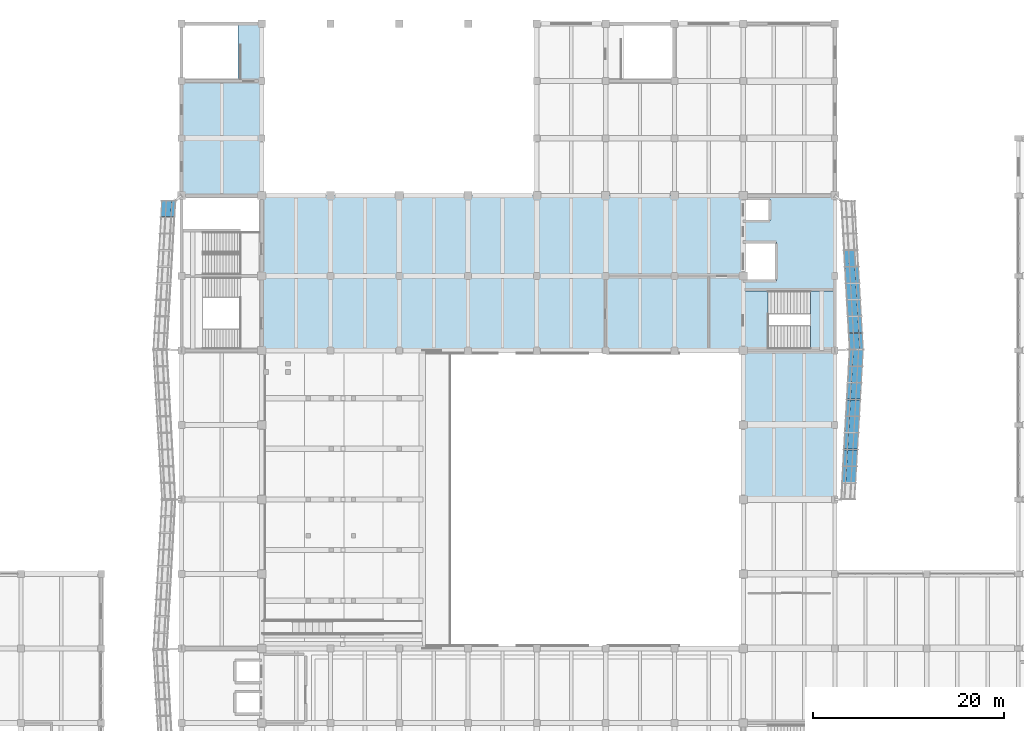
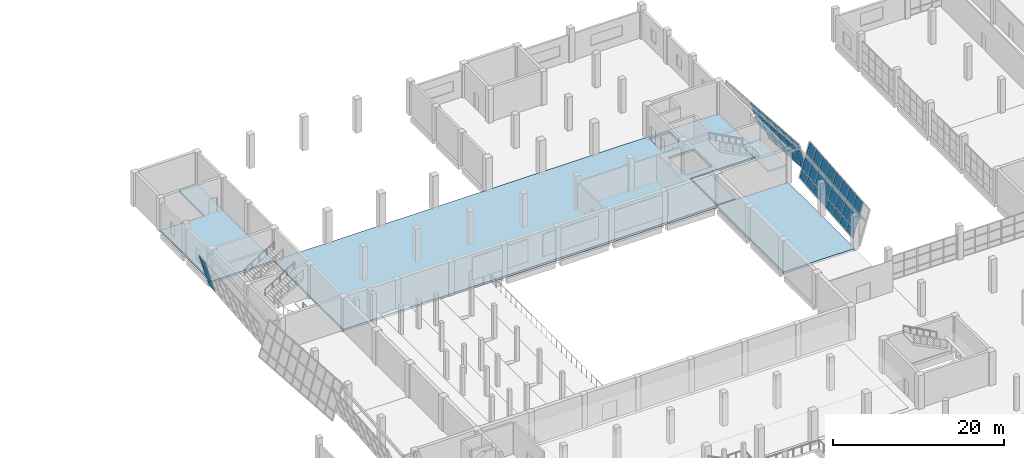
# One storey, part 71 of 91: 44 plates, 5 slabs, 4 elements without a shape of their own.
"""IFC4 building model written with IfcOpenShell, lengths in metres."""

from ifc_helpers import new_model, si_unit, direction, frame, origin, place, context, subcontext, project, spatial, polyline, outline, extrude, material, layer, layer_set, type_object, element, aggregate, save


model = new_model("IFC4")

# Units and contexts
model_context = context("Model", 3, precision=1e-05, world=origin(), true_north=direction((0.0, 1.0)))
body_context = subcontext(model_context, "Body", "Model", "MODEL_VIEW")
ifc_project = project(units=[si_unit("LENGTHUNIT", "METRE"), si_unit("AREAUNIT", "SQUARE_METRE"), si_unit("VOLUMEUNIT", "CUBIC_METRE"), si_unit("PLANEANGLEUNIT", "RADIAN"), si_unit("MASSUNIT", "GRAM", prefix="KILO")], contexts=[model_context])

# Site, building, storey
site_placement = place(None, origin())
site = spatial("IfcSite", under=ifc_project, at=site_placement, CompositionType="ELEMENT")
building_placement = place(site_placement, origin())
building = spatial("IfcBuilding", under=site, at=building_placement, Name="Pellamere Symphony Hall", CompositionType="ELEMENT")
storey_placement = place(building_placement, frame((0.0, 0.0, 5.39990234375)))
storey = spatial("IfcBuildingStorey", under=building, at=storey_placement, Name="L01", CompositionType="ELEMENT", Elevation=5.39990234375)

# Curtain wall, plates
ifc_material_1 = material(Name="Thermally Broken Anodised Aluminium 6063-T6 Curtain Wall", Category="aluminium")
curtain_wall_type = type_object("IfcCurtainWallType", Name="Curtain Wall CW-01 (Tilted Faceted Crystal Low-Iron Curtain Wall)", PredefinedType="NOTDEFINED", material=ifc_material_1)
curtain_wall_1_placement = place(storey_placement, origin())
curtain_wall_1 = element("IfcCurtainWall", 1, at=curtain_wall_1_placement, inside=storey, type_object=curtain_wall_type, Name="Crystal Faceted Curtain Wall CW-CR09 (L01)", PredefinedType="NOTDEFINED")
ifc_material_2 = material(Name="Pre-Weathered Quartz-Zinc Faceted Cladding Cassette", Category="aluminium")
ifc_layer_1 = layer(ifc_material_2, 0.0400390625, Name="Pre-Weathered Quartz-Zinc Faceted Cladding Cassette")
ifc_layer_set_1 = layer_set([ifc_layer_1], Name="Pre-Weathered Quartz-Zinc Faceted Cladding Cassette")
plate_type_1 = type_object("IfcPlateType", Name="Facade Panel CL-01 40mm", PredefinedType="CURTAIN_PANEL", material=ifc_layer_set_1)
plate_1_placement = place(storey_placement, frame((121.74609375, 77.574951171875, 0.072021484375), z_axis=(0.957377085585, 0.055302622733, 0.283497329645), x_axis=(-0.057662567717, 0.998336129702, -2.0406939e-05)))
plate_1 = element("IfcPlate", 2, at=plate_1_placement, type_object=plate_type_1, Name="CW1-018 crystal glass panel 1.1", PredefinedType="CURTAIN_PANEL", context=body_context, shape_type="SweptSolid", body=[
    extrude(outline(polyline([(0.0, 0.0), (1.6235445138001536, -3.469446951953614e-18), (1.6413597464226464, 1.0888971018663633), (0.01780115484717093, 1.0888280035374043), (0.0, 0.0)])), origin(), (0.0, 0.0, -1.0), 0.0400390625),
])
plate_2_placement = place(storey_placement, frame((121.41552734375, 77.574951171875, 1.18798828125), z_axis=(0.957380698434, 0.055230728649, 0.283499144406), x_axis=(-0.057593652861, 0.998340107954, 0.0)))
plate_2 = element("IfcPlate", 3, at=plate_2_placement, type_object=plate_type_1, Name="CW1-018 crystal glass panel 1.2", PredefinedType="CURTAIN_PANEL", context=body_context, shape_type="SweptSolid", body=[
    extrude(outline(polyline([(0.0, 0.0), (1.6235445180063734, -6.938893903907228e-18), (1.656700239062783, 2.027265452019249), (0.03315572105640951, 2.027265452019249), (0.0, 0.0)])), origin(), (0.0, 0.0, -1.0), 0.0400390625),
])
plate_3_placement = place(storey_placement, frame((120.818359375, 77.574951171875, 3.2041015625), z_axis=(0.957367143963, 0.055229946699, 0.283545066344), x_axis=(-0.057593652861, 0.998340107954, 0.0)))
plate_3 = element("IfcPlate", 4, at=plate_3_placement, type_object=plate_type_1, Name="CW1-018 crystal glass panel 1.3", PredefinedType="CURTAIN_PANEL", context=body_context, shape_type="SweptSolid", body=[
    extrude(outline(polyline([(0.0, 0.0), (1.6235445180063734, -6.938893903907228e-18), (1.6495432153063316, 1.5894006535955305), (0.02599869729995809, 1.5894006535955305), (0.0, 0.0)])), origin(), (0.0, 0.0, -1.0), 0.0400390625),
])
plate_4_placement = place(storey_placement, frame((121.6484375, 79.270751953125, 0.072021484375), z_axis=(0.957349655397, 0.055245262022, 0.283601125412), x_axis=(-0.057610619545, 0.998339129012, 0.0)))
plate_4 = element("IfcPlate", 5, at=plate_4_placement, type_object=plate_type_1, Name="CW1-018 crystal glass panel 2.1", PredefinedType="CURTAIN_PANEL", context=body_context, shape_type="SweptSolid", body=[
    extrude(outline(polyline([(0.0, 0.0), (1.6612063149993754, 3.469446951953614e-18), (1.67902678740273, 1.0888970223981924), (0.017820472403354506, 1.0888970223981924), (0.0, 0.0)])), origin(), (0.0, 0.0, -1.0), 0.0400390625),
])
plate_5_placement = place(storey_placement, frame((121.31787109375, 79.270751953125, 1.18798828125), z_axis=(0.957347197893, 0.055245120208, 0.283609448679), x_axis=(-0.057610619545, 0.998339129012, 0.0)))
plate_5 = element("IfcPlate", 6, at=plate_5_placement, type_object=plate_type_1, Name="CW1-018 crystal glass panel 2.2", PredefinedType="CURTAIN_PANEL", context=body_context, shape_type="SweptSolid", body=[
    extrude(outline(polyline([(0.0, 0.0), (1.6612063149993754, 6.938893903907228e-18), (1.6943858685901516, 2.0273344043651265), (0.03317955359077607, 2.0273344043651265), (0.0, 0.0)])), origin(), (0.0, 0.0, -1.0), 0.0400390625),
])
plate_6_placement = place(storey_placement, frame((120.720703125, 79.270751953125, 3.2041015625), z_axis=(0.95732464422, 0.055243818715, 0.283685822811), x_axis=(-0.057610619545, 0.998339129012, 0.0)))
plate_6 = element("IfcPlate", 7, at=plate_6_placement, type_object=plate_type_1, Name="CW1-018 crystal glass panel 2.3", PredefinedType="CURTAIN_PANEL", context=body_context, shape_type="SweptSolid", body=[
    extrude(outline(polyline([(0.0, 0.0), (1.6612063149993754, -3.469446951953614e-18), (1.6872267364249525, 1.5894696553130707), (0.026020421425576826, 1.5894696553130707), (0.0, 0.0)])), origin(), (0.0, 0.0, -1.0), 0.0400390625),
])
plate_7_placement = place(storey_placement, frame((121.54833984375, 81.004150390625, 0.072021484375), z_axis=(0.957349655397, 0.055245262022, 0.283601125412), x_axis=(-0.057610619545, 0.998339129012, 0.0)))
plate_7 = element("IfcPlate", 8, at=plate_7_placement, type_object=plate_type_1, Name="CW1-018 crystal glass panel 3.1", PredefinedType="CURTAIN_PANEL", context=body_context, shape_type="SweptSolid", body=[
    extrude(outline(polyline([(0.0, 0.0), (1.6612063149993754, 3.469446951953614e-18), (1.67902678740273, 1.0888970223981924), (0.017820472403354506, 1.0888970223981924), (0.0, 0.0)])), origin(), (0.0, 0.0, -1.0), 0.0400390625),
])
plate_8_placement = place(storey_placement, frame((121.2177734375, 81.004150390625, 1.18798828125), z_axis=(0.957347197893, 0.055245120208, 0.283609448679), x_axis=(-0.057610619545, 0.998339129012, 0.0)))
plate_8 = element("IfcPlate", 9, at=plate_8_placement, type_object=plate_type_1, Name="CW1-018 crystal glass panel 3.2", PredefinedType="CURTAIN_PANEL", context=body_context, shape_type="SweptSolid", body=[
    extrude(outline(polyline([(0.0, 0.0), (1.6612063149993754, 6.938893903907228e-18), (1.6943858685901516, 2.0273344043651265), (0.03317955359077607, 2.0273344043651265), (0.0, 0.0)])), origin(), (0.0, 0.0, -1.0), 0.0400390625),
])
plate_9_placement = place(storey_placement, frame((120.62060546875, 81.004150390625, 3.2041015625), z_axis=(0.957366280672, 0.055246221408, 0.283544810662), x_axis=(-0.057610619545, 0.998339129012, 0.0)))
plate_9 = element("IfcPlate", 10, at=plate_9_placement, type_object=plate_type_1, Name="CW1-018 crystal glass panel 3.3", PredefinedType="CURTAIN_PANEL", context=body_context, shape_type="SweptSolid", body=[
    extrude(outline(polyline([(0.0, 0.0), (1.6612063149993754, 0.0), (1.68721267133229, 1.5894005282940733), (0.02600635633291435, 1.5894005282940733), (0.0, 0.0)])), origin(), (0.0, 0.0, -1.0), 0.0400390625),
])
plate_10_placement = place(storey_placement, frame((121.4482421875, 82.737548828125, 0.072021484375), z_axis=(0.957410410084, 0.05524876796, 0.283395272192), x_axis=(-0.057610619545, 0.998339129012, 0.0)))
plate_10 = element("IfcPlate", 11, at=plate_10_placement, type_object=plate_type_1, Name="CW1-018 crystal glass panel 4.1", PredefinedType="CURTAIN_PANEL", context=body_context, shape_type="SweptSolid", body=[
    extrude(outline(polyline([(0.0, 0.0), (1.6612063149993754, 3.469446951953614e-18), (1.6790127223100675, 1.0888279239245282), (0.017806407310692034, 1.0888279239245282), (0.0, 0.0)])), origin(), (0.0, 0.0, -1.0), 0.0400390625),
])
plate_11_placement = place(storey_placement, frame((121.11767578125, 82.737548828125, 1.18798828125), z_axis=(0.957379835106, 0.055247003586, 0.283498888758), x_axis=(-0.057610619545, 0.998339129012, 0.0)))
plate_11 = element("IfcPlate", 12, at=plate_11_placement, type_object=plate_type_1, Name="CW1-018 crystal glass panel 4.2", PredefinedType="CURTAIN_PANEL", context=body_context, shape_type="SweptSolid", body=[
    extrude(outline(polyline([(0.0, 0.0), (1.6612063149993754, -3.469446951953614e-18), (1.694371803497489, 2.0272652922501933), (0.03316548849811359, 2.0272652922501933), (0.0, 0.0)])), origin(), (0.0, 0.0, -1.0), 0.0400390625),
])
plate_12_placement = place(storey_placement, frame((120.5205078125, 82.737548828125, 3.2041015625), z_axis=(0.957366280672, 0.055246221408, 0.283544810662), x_axis=(-0.057610619545, 0.998339129012, 0.0)))
plate_12 = element("IfcPlate", 13, at=plate_12_placement, type_object=plate_type_1, Name="CW1-018 crystal glass panel 4.3", PredefinedType="CURTAIN_PANEL", context=body_context, shape_type="SweptSolid", body=[
    extrude(outline(polyline([(0.0, 0.0), (1.6612063149993754, 0.0), (1.68721267133229, 1.5894005282940733), (0.02600635633291435, 1.5894005282940733), (0.0, 0.0)])), origin(), (0.0, 0.0, -1.0), 0.0400390625),
])
plate_13_placement = place(storey_placement, frame((121.348388671875, 84.470703125, 0.072021484375), z_axis=(0.957349655397, 0.055245262022, 0.283601125412), x_axis=(-0.057610619545, 0.998339129012, 0.0)))
plate_13 = element("IfcPlate", 14, at=plate_13_placement, type_object=plate_type_1, Name="CW1-018 crystal glass panel 5.1", PredefinedType="CURTAIN_PANEL", context=body_context, shape_type="SweptSolid", body=[
    extrude(outline(polyline([(0.0, 0.0), (1.6612063149993754, 3.469446951953614e-18), (1.67902678740273, 1.0888970223981924), (0.017820472403354506, 1.0888970223981924), (0.0, 0.0)])), origin(), (0.0, 0.0, -1.0), 0.0400390625),
])
plate_14_placement = place(storey_placement, frame((121.017822265625, 84.470703125, 1.18798828125), z_axis=(0.957347197893, 0.055245120208, 0.283609448679), x_axis=(-0.057610619545, 0.998339129012, 0.0)))
plate_14 = element("IfcPlate", 15, at=plate_14_placement, type_object=plate_type_1, Name="CW1-018 crystal glass panel 5.2", PredefinedType="CURTAIN_PANEL", context=body_context, shape_type="SweptSolid", body=[
    extrude(outline(polyline([(0.0, 0.0), (1.6612063149993754, 6.938893903907228e-18), (1.6943858685901516, 2.0273344043651265), (0.03317955359077607, 2.0273344043651265), (0.0, 0.0)])), origin(), (0.0, 0.0, -1.0), 0.0400390625),
])
plate_15_placement = place(storey_placement, frame((120.420654296875, 84.470703125, 3.2041015625), z_axis=(0.957366280672, 0.055246221408, 0.283544810662), x_axis=(-0.057610619545, 0.998339129012, 0.0)))
plate_15 = element("IfcPlate", 16, at=plate_15_placement, type_object=plate_type_1, Name="CW1-018 crystal glass panel 5.3", PredefinedType="CURTAIN_PANEL", context=body_context, shape_type="SweptSolid", body=[
    extrude(outline(polyline([(0.0, 0.0), (1.6612063149993754, 0.0), (1.68721267133229, 1.5894005282940733), (0.02600635633291435, 1.5894005282940733), (0.0, 0.0)])), origin(), (0.0, 0.0, -1.0), 0.0400390625),
])
plate_16_placement = place(storey_placement, frame((120.917724609375, 86.2041015625, 1.18798828125), z_axis=(0.957367242492, 0.055175809721, 0.283555273316), x_axis=(-0.057543268756, 0.998343013109, 1.9948157e-05)))
plate_16 = element("IfcPlate", 17, at=plate_16_placement, type_object=plate_type_1, Name="CW1-018 crystal glass panel 6.2", PredefinedType="CURTAIN_PANEL", context=body_context, shape_type="SweptSolid", body=[
    extrude(outline(polyline([(0.0, 0.0), (1.661206310888601, 0.0), (1.6943718076903342, 2.027265288745848), (0.033179545451331935, 2.027334401129952), (0.0, 0.0)])), origin(), (0.0, 0.0, -1.0), 0.0400390625),
])
plate_17_placement = place(storey_placement, frame((120.320556640625, 86.2041015625, 3.2041015625), z_axis=(0.957366280672, 0.055246221408, 0.283544810662), x_axis=(-0.057610619545, 0.998339129012, 0.0)))
plate_17 = element("IfcPlate", 18, at=plate_17_placement, type_object=plate_type_1, Name="CW1-018 crystal glass panel 6.3", PredefinedType="CURTAIN_PANEL", context=body_context, shape_type="SweptSolid", body=[
    extrude(outline(polyline([(0.0, 0.0), (1.6612063149993754, 0.0), (1.68721267133229, 1.5894005282940733), (0.02600635633291435, 1.5894005282940733), (0.0, 0.0)])), origin(), (0.0, 0.0, -1.0), 0.0400390625),
])
aggregate(curtain_wall_1, [plate_1, plate_2, plate_3, plate_4, plate_5, plate_6, plate_7, plate_8, plate_9, plate_10, plate_11, plate_12, plate_13, plate_14, plate_15, plate_16, plate_17])

curtain_wall_2_placement = place(storey_placement, origin())
curtain_wall_2 = element("IfcCurtainWall", 19, at=curtain_wall_2_placement, inside=storey, type_object=curtain_wall_type, Name="Crystal Faceted Curtain Wall CW-CR08 (L01)", PredefinedType="NOTDEFINED")
ifc_material_3 = material(Name="Triple Laminated Acoustic Crystal Glazing 42mm", Category="glass")
ifc_layer_2 = layer(ifc_material_3, 0.0419921875, Name="Triple Laminated Acoustic Crystal Glazing 42mm")
ifc_layer_set_2 = layer_set([ifc_layer_2], Name="Triple Laminated Acoustic Crystal Glazing 42mm")
plate_type_2 = type_object("IfcPlateType", Name="Facade Panel GL-02 42mm", PredefinedType="CURTAIN_PANEL", material=ifc_layer_set_2)
plate_18_placement = place(storey_placement, frame((119.573486328125, 63.581787109375, 0.072021484375), z_axis=(-0.95736924277, 0.054874797948, 0.283606927891), x_axis=(0.057224396245, 0.998361341637, 0.0)))
plate_18 = element("IfcPlate", 20, at=plate_18_placement, type_object=plate_type_2, Name="CW1-013 crystal glass panel 2.1", PredefinedType="CURTAIN_PANEL", context=body_context, shape_type="SweptSolid", body=[
    extrude(outline(polyline([(0.0, 0.0), (1.6724182565382377, 3.469446951953614e-18), (1.6901192599666512, -1.0888989710262178), (0.01770100342841346, -1.0888989710262178), (0.0, 0.0)])), origin(), (0.0, 0.0, -1.0), 0.0419921875),
])
plate_19_placement = place(storey_placement, frame((119.904052734375, 63.581787109375, 1.18798828125), z_axis=(-0.957366785115, 0.054874657079, 0.283615251298), x_axis=(0.057224396245, 0.998361341637, 0.0)))
plate_19 = element("IfcPlate", 21, at=plate_19_placement, type_object=plate_type_2, Name="CW1-013 crystal glass panel 2.2", PredefinedType="CURTAIN_PANEL", context=body_context, shape_type="SweptSolid", body=[
    extrude(outline(polyline([(0.0, 0.0), (1.6724182565382377, -3.469446951953614e-18), (1.7053753734187647, -2.0273380325801393), (0.03295711688052672, -2.0273380325801393), (0.0, 0.0)])), origin(), (0.0, 0.0, -1.0), 0.0419921875),
])
plate_20_placement = place(storey_placement, frame((120.501220703125, 63.581787109375, 3.2041015625), z_axis=(-0.957385869065, 0.054875750939, 0.28355061219), x_axis=(0.057224396245, 0.998361341637, 0.0)))
plate_20 = element("IfcPlate", 22, at=plate_20_placement, type_object=plate_type_2, Name="CW1-013 crystal glass panel 2.3", PredefinedType="CURTAIN_PANEL", context=body_context, shape_type="SweptSolid", body=[
    extrude(outline(polyline([(0.0, 0.0), (1.6724182565382377, -3.469446951953614e-18), (1.6982502654878326, -1.5894033714651616), (0.025832008949594705, -1.5894033714651616), (0.0, 0.0)])), origin(), (0.0, 0.0, -1.0), 0.0419921875),
])
plate_21_placement = place(storey_placement, frame((119.67333984375, 65.326416015625, 0.072021484375), z_axis=(-0.957368821144, 0.054882798755, 0.28360680299), x_axis=(0.057232737422, 0.998360863499, 0.0)))
plate_21 = element("IfcPlate", 23, at=plate_21_placement, type_object=plate_type_2, Name="CW1-013 crystal glass panel 3.1", PredefinedType="CURTAIN_PANEL", context=body_context, shape_type="SweptSolid", body=[
    extrude(outline(polyline([(0.0, 0.0), (1.6721745160346768, -3.469446951953614e-18), (1.6898780996073564, -1.0888989290806625), (0.01770358357267939, -1.0888989290806625), (0.0, 0.0)])), origin(), (0.0, 0.0, -1.0), 0.0419921875),
])
plate_22_placement = place(storey_placement, frame((120.004150390625, 65.326416015625, 1.18798828125), z_axis=(-0.957399002665, 0.054884528962, 0.283504564647), x_axis=(0.057232737422, 0.998360863499, 0.0)))
plate_22 = element("IfcPlate", 24, at=plate_22_placement, type_object=plate_type_2, Name="CW1-013 crystal glass panel 3.2", PredefinedType="CURTAIN_PANEL", context=body_context, shape_type="SweptSolid", body=[
    extrude(outline(polyline([(0.0, 0.0), (1.6721745160346768, 0.0), (1.7051224639939333, -2.0272688394771072), (0.03294794795925651, -2.0272688394771072), (0.0, 0.0)])), origin(), (0.0, 0.0, -1.0), 0.0419921875),
])
plate_23_placement = place(storey_placement, frame((120.60107421875, 65.326416015625, 3.2041015625), z_axis=(-0.957343808464, 0.054881364861, 0.283691501787), x_axis=(0.057232737422, 0.998360863499, 0.0)))
plate_23 = element("IfcPlate", 25, at=plate_23_placement, type_object=plate_type_2, Name="CW1-013 crystal glass panel 3.3", PredefinedType="CURTAIN_PANEL", context=body_context, shape_type="SweptSolid", body=[
    extrude(outline(polyline([(0.0, 0.0), (1.6721745160346768, 0.0), (1.69802426316132, -1.5894724401718032), (0.02584974712664315, -1.5894724401718032), (0.0, 0.0)])), origin(), (0.0, 0.0, -1.0), 0.0419921875),
])
plate_24_placement = place(storey_placement, frame((119.7734375, 67.07080078125, 0.072021484375), z_axis=(-0.957368821144, 0.054882798755, 0.28360680299), x_axis=(0.057232737422, 0.998360863499, 0.0)))
plate_24 = element("IfcPlate", 26, at=plate_24_placement, type_object=plate_type_2, Name="CW1-013 crystal glass panel 4.1", PredefinedType="CURTAIN_PANEL", context=body_context, shape_type="SweptSolid", body=[
    extrude(outline(polyline([(0.0, 0.0), (1.6721745160346768, -3.469446951953614e-18), (1.6898780996073564, -1.0888989290806625), (0.01770358357267939, -1.0888989290806625), (0.0, 0.0)])), origin(), (0.0, 0.0, -1.0), 0.0419921875),
])
plate_25_placement = place(storey_placement, frame((120.10400390625, 67.07080078125, 1.18798828125), z_axis=(-0.957366363492, 0.054882657866, 0.283615126394), x_axis=(0.057232737422, 0.998360863499, 0.0)))
plate_25 = element("IfcPlate", 27, at=plate_25_placement, type_object=plate_type_2, Name="CW1-013 crystal glass panel 4.2", PredefinedType="CURTAIN_PANEL", context=body_context, shape_type="SweptSolid", body=[
    extrude(outline(polyline([(0.0, 0.0), (1.6721745160346768, 0.0), (1.705136436830218, -2.027337954480322), (0.03296192079554119, -2.027337954480322), (0.0, 0.0)])), origin(), (0.0, 0.0, -1.0), 0.0419921875),
])
plate_26_placement = place(storey_placement, frame((120.701171875, 67.07080078125, 3.2041015625), z_axis=(-0.957385447417, 0.054883751885, 0.28355048731), x_axis=(0.057232737422, 0.998360863499, 0.0)))
plate_26 = element("IfcPlate", 28, at=plate_26_placement, type_object=plate_type_2, Name="CW1-013 crystal glass panel 4.3", PredefinedType="CURTAIN_PANEL", context=body_context, shape_type="SweptSolid", body=[
    extrude(outline(polyline([(0.0, 0.0), (1.6721745160346768, 0.0), (1.6980102903250354, -1.589403310263953), (0.025835774290358476, -1.589403310263953), (0.0, 0.0)])), origin(), (0.0, 0.0, -1.0), 0.0419921875),
])
plate_27_placement = place(storey_placement, frame((119.87353515625, 68.815185546875, 0.072021484375), z_axis=(-0.957430001187, 0.054878280518, 0.283401071195), x_axis=(0.057224396245, 0.998361341637, 0.0)))
plate_27 = element("IfcPlate", 29, at=plate_27_placement, type_object=plate_type_2, Name="CW1-013 crystal glass panel 5.1", PredefinedType="CURTAIN_PANEL", context=body_context, shape_type="SweptSolid", body=[
    extrude(outline(polyline([(0.0, 0.0), (1.6724182565382377, 0.0), (1.6901052891667867, -1.0888298696012657), (0.01768703262854889, -1.0888298696012657), (0.0, 0.0)])), origin(), (0.0, 0.0, -1.0), 0.0419921875),
])
plate_28_placement = place(storey_placement, frame((120.2041015625, 68.815185546875, 1.18798828125), z_axis=(-0.957399424332, 0.054876527904, 0.283504689511), x_axis=(0.057224396245, 0.998361341637, 0.0)))
plate_28 = element("IfcPlate", 30, at=plate_28_placement, type_object=plate_type_2, Name="CW1-013 crystal glass panel 5.2", PredefinedType="CURTAIN_PANEL", context=body_context, shape_type="SweptSolid", body=[
    extrude(outline(polyline([(0.0, 0.0), (1.6724182565382377, 3.469446951953614e-18), (1.7053614026189, -2.0272689175133847), (0.03294314608066215, -2.0272689175133847), (0.0, 0.0)])), origin(), (0.0, 0.0, -1.0), 0.0419921875),
])
plate_29_placement = place(storey_placement, frame((120.80126953125, 68.815185546875, 3.2041015625), z_axis=(-0.957385869065, 0.054875750939, 0.28355061219), x_axis=(0.057224396245, 0.998361341637, 0.0)))
plate_29 = element("IfcPlate", 31, at=plate_29_placement, type_object=plate_type_2, Name="CW1-013 crystal glass panel 5.3", PredefinedType="CURTAIN_PANEL", context=body_context, shape_type="SweptSolid", body=[
    extrude(outline(polyline([(0.0, 0.0), (1.6724182565382377, -3.469446951953614e-18), (1.6982502654878326, -1.5894033714651616), (0.025832008949594705, -1.5894033714651616), (0.0, 0.0)])), origin(), (0.0, 0.0, -1.0), 0.0419921875),
])
plate_30_placement = place(storey_placement, frame((119.973388671875, 70.5595703125, 0.072021484375), z_axis=(-0.95736924277, 0.054874797948, 0.283606927891), x_axis=(0.057224396245, 0.998361341637, 0.0)))
plate_30 = element("IfcPlate", 32, at=plate_30_placement, type_object=plate_type_2, Name="CW1-013 crystal glass panel 6.1", PredefinedType="CURTAIN_PANEL", context=body_context, shape_type="SweptSolid", body=[
    extrude(outline(polyline([(0.0, 0.0), (1.6724182565382377, 3.469446951953614e-18), (1.6901192599666512, -1.0888989710262178), (0.01770100342841346, -1.0888989710262178), (0.0, 0.0)])), origin(), (0.0, 0.0, -1.0), 0.0419921875),
])
plate_31_placement = place(storey_placement, frame((120.303955078125, 70.5595703125, 1.18798828125), z_axis=(-0.957366785115, 0.054874657079, 0.283615251298), x_axis=(0.057224396245, 0.998361341637, 0.0)))
plate_31 = element("IfcPlate", 33, at=plate_31_placement, type_object=plate_type_2, Name="CW1-013 crystal glass panel 6.2", PredefinedType="CURTAIN_PANEL", context=body_context, shape_type="SweptSolid", body=[
    extrude(outline(polyline([(0.0, 0.0), (1.6724182565382377, -3.469446951953614e-18), (1.7053753734187647, -2.0273380325801393), (0.03295711688052672, -2.0273380325801393), (0.0, 0.0)])), origin(), (0.0, 0.0, -1.0), 0.0419921875),
])
plate_32_placement = place(storey_placement, frame((120.901123046875, 70.5595703125, 3.2041015625), z_axis=(-0.957385869065, 0.054875750939, 0.28355061219), x_axis=(0.057224396245, 0.998361341637, 0.0)))
plate_32 = element("IfcPlate", 34, at=plate_32_placement, type_object=plate_type_2, Name="CW1-013 crystal glass panel 6.3", PredefinedType="CURTAIN_PANEL", context=body_context, shape_type="SweptSolid", body=[
    extrude(outline(polyline([(0.0, 0.0), (1.6724182565382377, -3.469446951953614e-18), (1.6982502654878326, -1.5894033714651616), (0.025832008949594705, -1.5894033714651616), (0.0, 0.0)])), origin(), (0.0, 0.0, -1.0), 0.0419921875),
])
plate_33_placement = place(storey_placement, frame((120.073486328125, 72.30419921875, 0.072021484375), z_axis=(-0.957368821144, 0.054882798755, 0.28360680299), x_axis=(0.057232737422, 0.998360863499, 0.0)))
plate_33 = element("IfcPlate", 35, at=plate_33_placement, type_object=plate_type_2, Name="CW1-013 crystal glass panel 7.1", PredefinedType="CURTAIN_PANEL", context=body_context, shape_type="SweptSolid", body=[
    extrude(outline(polyline([(0.0, 0.0), (1.6721745160346768, -3.469446951953614e-18), (1.6898780996073564, -1.0888989290806625), (0.01770358357267939, -1.0888989290806625), (0.0, 0.0)])), origin(), (0.0, 0.0, -1.0), 0.0419921875),
])
plate_34_placement = place(storey_placement, frame((120.404052734375, 72.30419921875, 1.18798828125), z_axis=(-0.957366363492, 0.054882657866, 0.283615126394), x_axis=(0.057232737422, 0.998360863499, 0.0)))
plate_34 = element("IfcPlate", 36, at=plate_34_placement, type_object=plate_type_2, Name="CW1-013 crystal glass panel 7.2", PredefinedType="CURTAIN_PANEL", context=body_context, shape_type="SweptSolid", body=[
    extrude(outline(polyline([(0.0, 0.0), (1.6721745160346768, 0.0), (1.705136436830218, -2.027337954480322), (0.03296192079554119, -2.027337954480322), (0.0, 0.0)])), origin(), (0.0, 0.0, -1.0), 0.0419921875),
])
plate_35_placement = place(storey_placement, frame((121.001220703125, 72.30419921875, 3.2041015625), z_axis=(-0.957385447417, 0.054883751885, 0.28355048731), x_axis=(0.057232737422, 0.998360863499, 0.0)))
plate_35 = element("IfcPlate", 37, at=plate_35_placement, type_object=plate_type_2, Name="CW1-013 crystal glass panel 7.3", PredefinedType="CURTAIN_PANEL", context=body_context, shape_type="SweptSolid", body=[
    extrude(outline(polyline([(0.0, 0.0), (1.6721745160346768, 0.0), (1.6980102903250354, -1.589403310263953), (0.025835774290358476, -1.589403310263953), (0.0, 0.0)])), origin(), (0.0, 0.0, -1.0), 0.0419921875),
])
plate_36_placement = place(storey_placement, frame((120.17333984375, 74.048583984375, 0.072021484375), z_axis=(-0.957368821144, 0.054882798755, 0.28360680299), x_axis=(0.057232737422, 0.998360863499, 0.0)))
plate_36 = element("IfcPlate", 38, at=plate_36_placement, type_object=plate_type_2, Name="CW1-013 crystal glass panel 8.1", PredefinedType="CURTAIN_PANEL", context=body_context, shape_type="SweptSolid", body=[
    extrude(outline(polyline([(0.0, 0.0), (1.6721745160346768, -3.469446951953614e-18), (1.6898780996073564, -1.0888989290806625), (0.01770358357267939, -1.0888989290806625), (0.0, 0.0)])), origin(), (0.0, 0.0, -1.0), 0.0419921875),
])
plate_37_placement = place(storey_placement, frame((120.504150390625, 74.048583984375, 1.18798828125), z_axis=(-0.957399002665, 0.054884528962, 0.283504564647), x_axis=(0.057232737422, 0.998360863499, 0.0)))
plate_37 = element("IfcPlate", 39, at=plate_37_placement, type_object=plate_type_2, Name="CW1-013 crystal glass panel 8.2", PredefinedType="CURTAIN_PANEL", context=body_context, shape_type="SweptSolid", body=[
    extrude(outline(polyline([(0.0, 0.0), (1.6721745160346768, 0.0), (1.7051224639939333, -2.0272688394771072), (0.03294794795925651, -2.0272688394771072), (0.0, 0.0)])), origin(), (0.0, 0.0, -1.0), 0.0419921875),
])
plate_38_placement = place(storey_placement, frame((121.10107421875, 74.048583984375, 3.2041015625), z_axis=(-0.957343808464, 0.054881364861, 0.283691501787), x_axis=(0.057232737422, 0.998360863499, 0.0)))
plate_38 = element("IfcPlate", 40, at=plate_38_placement, type_object=plate_type_2, Name="CW1-013 crystal glass panel 8.3", PredefinedType="CURTAIN_PANEL", context=body_context, shape_type="SweptSolid", body=[
    extrude(outline(polyline([(0.0, 0.0), (1.6721745160346768, 0.0), (1.69802426316132, -1.5894724401718032), (0.02584974712664315, -1.5894724401718032), (0.0, 0.0)])), origin(), (0.0, 0.0, -1.0), 0.0419921875),
])
plate_39_placement = place(storey_placement, frame((120.2734375, 75.79296875, 0.072021484375), z_axis=(-0.957370543914, 0.054850099973, 0.283607313336), x_axis=(0.057198647566, 0.998362817175, 0.0)))
plate_39 = element("IfcPlate", 41, at=plate_39_placement, type_object=plate_type_2, Name="CW1-013 crystal glass panel 9.1", PredefinedType="CURTAIN_PANEL", context=body_context, shape_type="SweptSolid", body=[
    extrude(outline(polyline([(0.0, 0.0), (1.6347564733470132, 3.469446951953614e-18), (1.652449512034991, -1.0888991004708903), (0.01769303868797779, -1.0888991004708903), (0.0, 0.0)])), origin(), (0.0, 0.0, -1.0), 0.0419921875),
])
plate_40_placement = place(storey_placement, frame((120.60400390625, 75.79296875, 1.18798828125), z_axis=(-0.957368086249, 0.054849959167, 0.283615636753), x_axis=(0.057198647566, 0.998362817175, 0.0)))
plate_40 = element("IfcPlate", 42, at=plate_40_placement, type_object=plate_type_2, Name="CW1-013 crystal glass panel 9.2", PredefinedType="CURTAIN_PANEL", context=body_context, shape_type="SweptSolid", body=[
    extrude(outline(polyline([(0.0, 0.0), (1.6347564733470132, 0.0), (1.6676987608489386, -2.027338273597459), (0.032942287501925495, -2.027338273597459), (0.0, 0.0)])), origin(), (0.0, 0.0, -1.0), 0.0419921875),
])
plate_41_placement = place(storey_placement, frame((121.201171875, 75.79296875, 3.2041015625), z_axis=(-0.957387170277, 0.054851052538, 0.283550997572), x_axis=(0.057198647566, 0.998362817175, 0.0)))
plate_41 = element("IfcPlate", 43, at=plate_41_placement, type_object=plate_type_2, Name="CW1-013 crystal glass panel 9.3", PredefinedType="CURTAIN_PANEL", context=body_context, shape_type="SweptSolid", body=[
    extrude(outline(polyline([(0.0, 0.0), (1.6347564733470132, 0.0), (1.6605768589303367, -1.5894035603330965), (0.025820385583323543, -1.5894035603330965), (0.0, 0.0)])), origin(), (0.0, 0.0, -1.0), 0.0419921875),
])
aggregate(curtain_wall_2, [plate_18, plate_19, plate_20, plate_21, plate_22, plate_23, plate_24, plate_25, plate_26, plate_27, plate_28, plate_29, plate_30, plate_31, plate_32, plate_33, plate_34, plate_35, plate_36, plate_37, plate_38, plate_39, plate_40, plate_41])

curtain_wall_3_placement = place(storey_placement, origin())
curtain_wall_3 = element("IfcCurtainWall", 44, at=curtain_wall_3_placement, inside=storey, type_object=curtain_wall_type, Name="Crystal Faceted Curtain Wall CW-CR15 (L01)", PredefinedType="NOTDEFINED")
plate_42_placement = place(storey_placement, frame((49.724365234375, 93.025146484375, 0.072021484375), z_axis=(0.957350958392, -0.055220695341, 0.283601511406), x_axis=(-0.057585007883, -0.99834060664, 0.0)))
plate_42 = element("IfcPlate", 45, at=plate_42_placement, type_object=plate_type_2, Name="CW1-038 crystal glass panel 1.1", PredefinedType="CURTAIN_PANEL", context=body_context, shape_type="SweptSolid", body=[
    extrude(outline(polyline([(0.0, 0.0), (1.6237882534451713, 6.938893903907228e-18), (1.6416008034910186, -1.0888971520236395), (0.017812550045847142, -1.0888971520236395), (0.0, 0.0)])), origin(), (0.0, 0.0, -1.0), 0.0419921875),
])
plate_43_placement = place(storey_placement, frame((49.393798828125, 93.025146484375, 1.18798828125), z_axis=(0.957348500878, -0.05522055359, 0.283609834682), x_axis=(-0.057585007883, -0.99834060664, 0.0)))
plate_43 = element("IfcPlate", 46, at=plate_43_placement, type_object=plate_type_2, Name="CW1-038 crystal glass panel 1.2", PredefinedType="CURTAIN_PANEL", context=body_context, shape_type="SweptSolid", body=[
    extrude(outline(polyline([(0.0, 0.0), (1.6237882534451713, 0.0), (1.6569530565692072, -2.0273346457190367), (0.03316480312403584, -2.0273346457190367), (0.0, 0.0)])), origin(), (0.0, 0.0, -1.0), 0.0419921875),
])
plate_44_placement = place(storey_placement, frame((48.796630859375, 93.025146484375, 3.2041015625), z_axis=(0.957367583734, -0.055221654303, 0.283545196592), x_axis=(-0.057585007883, -0.99834060664, 0.0)))
plate_44 = element("IfcPlate", 47, at=plate_44_placement, type_object=plate_type_2, Name="CW1-038 crystal glass panel 1.3", PredefinedType="CURTAIN_PANEL", context=body_context, shape_type="SweptSolid", body=[
    extrude(outline(polyline([(0.0, 0.0), (1.6237882534451713, 3.469446951953614e-18), (1.6497830482634597, -1.589400717425769), (0.02599479481828837, -1.589400717425769), (0.0, 0.0)])), origin(), (0.0, 0.0, -1.0), 0.0419921875),
])
aggregate(curtain_wall_3, [plate_42, plate_43, plate_44])

# Stair, slabs
ifc_material_4 = material(Name="Concrete 40 MPa", Category="concrete")
stair_type = type_object("IfcStairType", Name="Stair ST-A W2400", PredefinedType="HALF_TURN_STAIR", material=ifc_material_4)
stair_placement = place(storey_placement, origin())
stair = element("IfcStair", 48, at=stair_placement, inside=storey, type_object=stair_type, Name="Exit Stair ST04-L01 (L01 to L02)", PredefinedType="HALF_TURN_STAIR")
ifc_layer_3 = layer(ifc_material_4, 0.219970703125, Name="Concrete 40 MPa")
ifc_layer_set_3 = layer_set([ifc_layer_3], Name="Concrete 40 MPa")
slab_type_1 = type_object("IfcSlabType", Name="Stair Landing SL-01 220mm", PredefinedType="LANDING", material=ifc_layer_set_3)
slab_1_placement = place(storey_placement, frame((0.0, 0.0, -0.219970703125)))
slab_1 = element("IfcSlab", 49, at=slab_1_placement, type_object=slab_type_1, Name="Stair ST04-L01 Bottom Landing (L01)", PredefinedType="LANDING", context=body_context, shape_type="SweptSolid", body=[
    extrude(outline(polyline([(109.360107421875, 77.56005859375), (111.77490234375, 77.56005859375), (111.77490234375, 83.639892578125), (109.360107421875, 83.639892578125), (109.360107421875, 77.56005859375)])), origin(), (0.0, 0.0, 1.0), 0.219970703125),
])
slab_2_placement = place(storey_placement, frame((0.0, 0.0, 2.18017578125)))
slab_2 = element("IfcSlab", 50, at=slab_2_placement, type_object=slab_type_1, Name="Stair ST04-L01 Half Landing (L01)", PredefinedType="LANDING", context=body_context, shape_type="SweptSolid", body=[
    extrude(outline(polyline([(116.22509765625, 77.56005859375), (118.639892578125, 77.56005859375), (118.639892578125, 83.639892578125), (116.22509765625, 83.639892578125), (116.22509765625, 77.56005859375)])), origin(), (0.0, 0.0, 1.0), 0.219970703125),
])
aggregate(stair, [slab_1, slab_2])

# Slabs
ifc_layer_4 = layer(ifc_material_4, 0.300048828125, Name="Concrete 40 MPa")
ifc_layer_set_4 = layer_set([ifc_layer_4], Name="Concrete 40 MPa")
slab_type_2 = type_object("IfcSlabType", Name="Structural Slab FS-02 300mm", PredefinedType="FLOOR", material=ifc_layer_set_4)
slab_3_placement = place(storey_placement, frame((0.0, 0.0, -0.2998046875)))
element("IfcSlab", 51, at=slab_3_placement, inside=storey, type_object=slab_type_2, Name="Floor Slab L01-V1N-1", PredefinedType="FLOOR", context=body_context, shape_type="SweptSolid", body=[
    extrude(outline(polyline([(118.800048828125, 93.60009765625), (118.800048828125, 83.800048828125), (109.199951171875, 83.800048828125), (109.199951171875, 77.39990234375), (58.800048828125, 77.39990234375), (58.800048828125, 85.199951171875), (58.800048828125, 93.60009765625), (118.800048828125, 93.60009765625)]), holes=[polyline([(112.0, 93.27490234375), (109.199951171875, 93.27490234375), (109.199951171875, 90.925048828125), (112.0, 90.925048828125), (112.0, 93.27490234375)]), polyline([(112.699951171875, 84.64990234375), (112.699951171875, 88.75), (109.199951171875, 88.75), (109.199951171875, 84.64990234375), (112.699951171875, 84.64990234375)])]), origin(), (0.0, 0.0, 1.0), 0.2998046875),
])
slab_4_placement = place(storey_placement, frame((0.0, 0.0, -0.2998046875)))
element("IfcSlab", 52, at=slab_4_placement, inside=storey, type_object=slab_type_2, Name="Floor Slab L01-V1N-2", PredefinedType="FLOOR", context=body_context, shape_type="SweptSolid", body=[
    extrude(outline(polyline([(118.800048828125, 61.800048828125), (109.199951171875, 61.800048828125), (109.199951171875, 77.39990234375), (118.800048828125, 77.39990234375), (118.800048828125, 61.800048828125)])), origin(), (0.0, 0.0, 1.0), 0.2998046875),
])
ifc_layer_5 = layer(ifc_material_4, 0.2900390625, Name="Concrete 40 MPa")
ifc_layer_set_5 = layer_set([ifc_layer_5], Name="Concrete 40 MPa")
slab_type_3 = type_object("IfcSlabType", Name="Structural Slab FS-07 290mm", PredefinedType="FLOOR", material=ifc_layer_set_5)
slab_5_placement = place(storey_placement, frame((0.0, 0.0, -0.289794921875)))
element("IfcSlab", 53, at=slab_5_placement, inside=storey, type_object=slab_type_3, Name="Floor Slab L01-V3-2", PredefinedType="FLOOR", context=body_context, shape_type="SweptSolid", body=[
    extrude(outline(polyline([(50.39990234375, 105.60009765625), (56.324951171875, 105.60009765625), (56.324951171875, 111.60009765625), (58.800048828125, 111.60009765625), (58.800048828125, 93.60009765625), (50.39990234375, 93.60009765625), (50.39990234375, 105.60009765625)])), origin(), (0.0, 0.0, 1.0), 0.289794921875),
])

save(model, "model.ifc")
